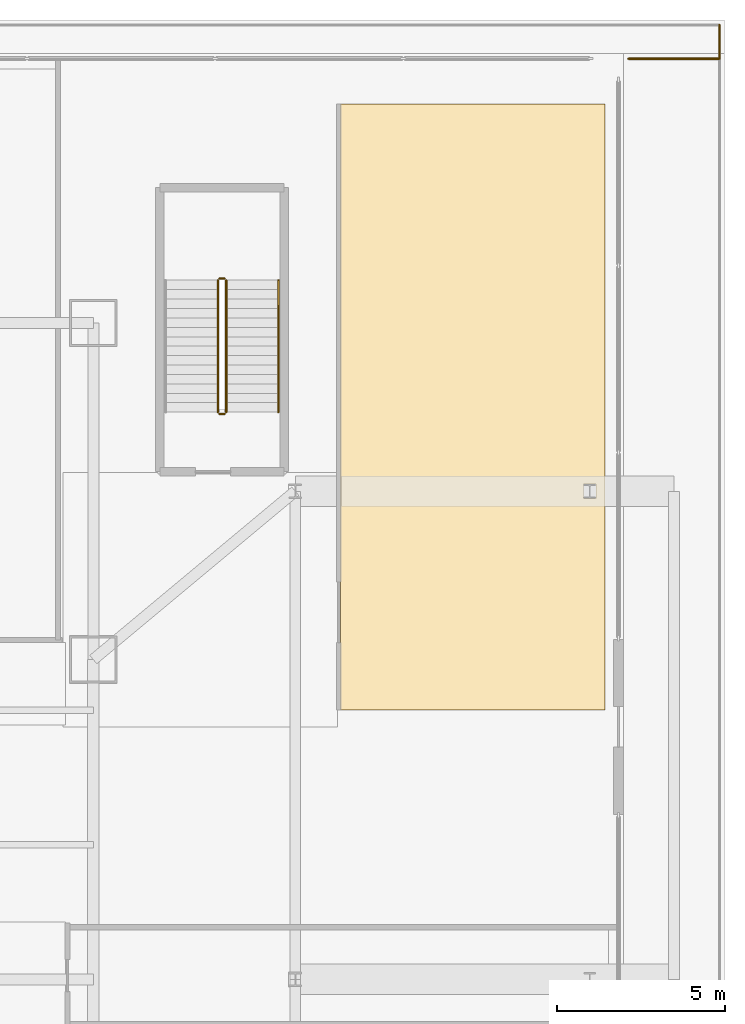
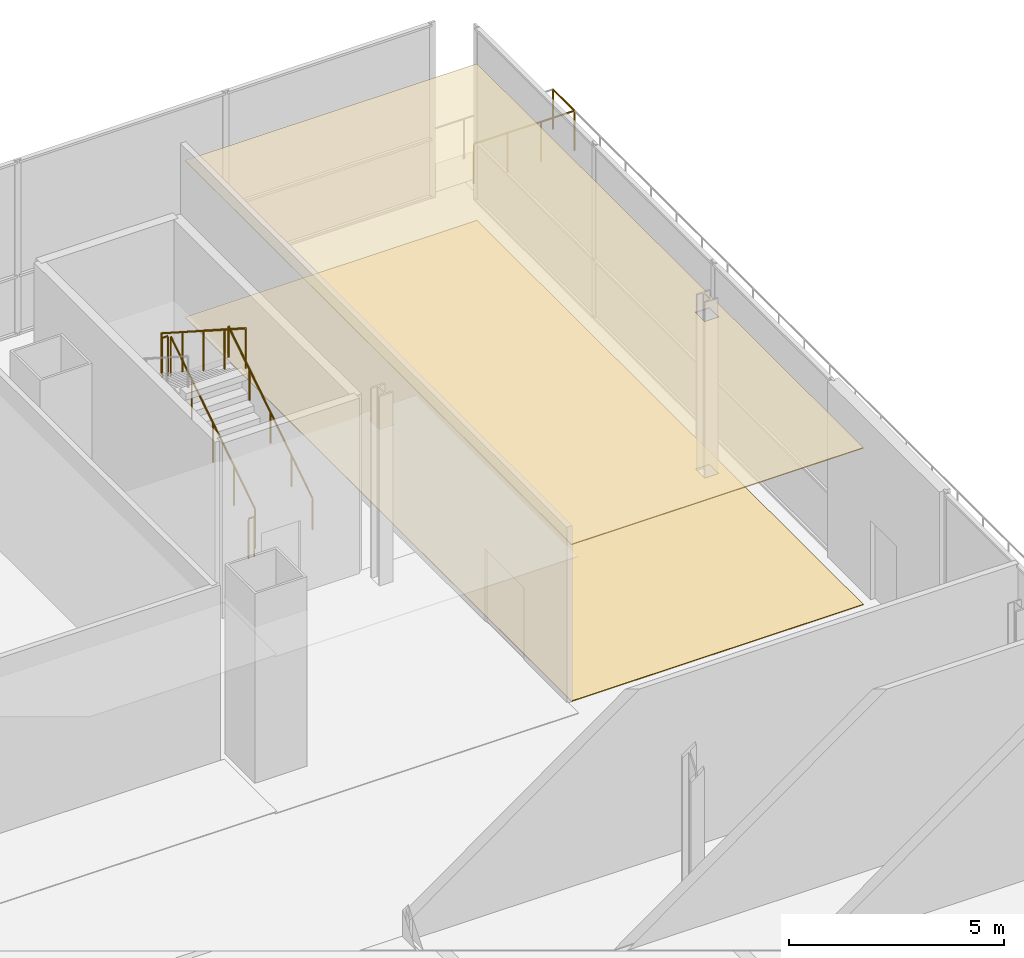
# One storey, part 36 of 36: 7 railings, 2 coverings.
"""IFC4 building model written with IfcOpenShell, lengths in metres."""

import ifcopenshell
import ifcopenshell.guid

model = None  # the IFC model being written
_history = None  # IfcOwnerHistory: only IFC2X3 demands one
_inside = {}  # id of a spatial element -> (the spatial element, [elements in it])
_under = {}  # id of a project, library or spatial element -> (it, [spatial elements below it])
_declared = {}  # id of a project -> (the project, [libraries it declares])
_typed = {}  # id of a type object -> (the type object, [elements of that type])
_made_of = {}  # id of a material, layer set ... -> (it, [elements and type objects made of it])


def new_model(schema):
    """Start an empty IFC model of exactly this schema.

    Asked for "IFC4X3", IfcOpenShell would pick the latest addendum, in which some entities
    have other attributes; the version numbers below select the first issue.
    IFC2X3 requires an IfcOwnerHistory on every rooted entity: one is made here for all.
    """
    global model, _history
    if schema == "IFC4X3":
        model = ifcopenshell.file(schema_version=(4, 3, 0, 0))
    else:
        model = ifcopenshell.file(schema=schema)
    _inside.clear()
    _under.clear()
    _declared.clear()
    _typed.clear()
    _made_of.clear()
    _history = None
    if model.schema == "IFC2X3":
        org = make("IfcOrganization", Name="unknown")
        user = make(
            "IfcPersonAndOrganization",
            ThePerson=make("IfcPerson", FamilyName="unknown"),
            TheOrganization=org,
        )
        app = make(
            "IfcApplication",
            ApplicationDeveloper=org,
            Version="unknown",
            ApplicationFullName="unknown",
            ApplicationIdentifier="unknown",
        )
        _history = make(
            "IfcOwnerHistory",
            OwningUser=user,
            OwningApplication=app,
            ChangeAction="ADDED",
            CreationDate=0,
        )
    return model


def make(cls, **values):
    """One entity of the class cls with the attributes given. An attribute that is None is left unset."""
    return model.create_entity(
        cls, **{name: value for name, value in values.items() if value is not None}
    )


def rooted(cls, **values):
    """An entity with a GlobalId (a new one), such as an element, a storey or a relation."""
    return make(cls, GlobalId=ifcopenshell.guid.new(), OwnerHistory=_history, **values)


def si_unit(unit_type, name, prefix=None):
    """IfcSIUnit, for example si_unit("LENGTHUNIT", "METRE", prefix="MILLI")."""
    return make("IfcSIUnit", UnitType=unit_type, Prefix=prefix, Name=name)


def assignment(units):
    """IfcUnitAssignment: the units of a project."""
    return None if units is None else make("IfcUnitAssignment", Units=units)


def point(xyz):
    """IfcCartesianPoint."""
    return None if xyz is None else make("IfcCartesianPoint", Coordinates=xyz)


def direction(xyz):
    """IfcDirection."""
    return None if xyz is None else make("IfcDirection", DirectionRatios=xyz)


def frame(location, z_axis=None, x_axis=None):
    """IfcAxis2Placement3D, a coordinate frame: its origin and axes. An axis left out is left unset."""
    return make(
        "IfcAxis2Placement3D",
        Location=point(location),
        Axis=direction(z_axis),
        RefDirection=direction(x_axis),
    )


def frame_2d(location, x_axis=None):
    """IfcAxis2Placement2D, a coordinate frame in the plane: its origin and x axis."""
    return make(
        "IfcAxis2Placement2D", Location=point(location), RefDirection=direction(x_axis)
    )


def origin():
    """The frame at (0, 0, 0) with its axes left unset."""
    return frame((0.0, 0.0, 0.0))


def origin_2d():
    """The frame at (0, 0) in the plane with its x axis left unset."""
    return frame_2d((0.0, 0.0))


def place(relative_to, where):
    """IfcLocalPlacement: puts the frame where relative to a parent placement (None: the world)."""
    return make(
        "IfcLocalPlacement", PlacementRelTo=relative_to, RelativePlacement=where
    )


def context(
    kind, dimensions, precision=None, world=None, true_north=None, identifier=None
):
    """IfcGeometricRepresentationContext, for example the 3D "Model" context."""
    return make(
        "IfcGeometricRepresentationContext",
        ContextIdentifier=identifier,
        ContextType=kind,
        CoordinateSpaceDimension=dimensions,
        Precision=precision,
        WorldCoordinateSystem=world,
        TrueNorth=true_north,
    )


def subcontext(parent, identifier, kind, view, scale=None):
    """IfcGeometricRepresentationSubContext, for example "Body" below "Model"."""
    return make(
        "IfcGeometricRepresentationSubContext",
        ContextIdentifier=identifier,
        ContextType=kind,
        ParentContext=parent,
        TargetScale=scale,
        TargetView=view,
    )


def project(units=None, contexts=None):
    """IfcProject with its units and contexts."""
    return rooted(
        "IfcProject",
        Name="project",
        RepresentationContexts=contexts,
        UnitsInContext=assignment(units),
    )


def spatial(cls, under=None, at=None, **own):
    """A site, building, storey or space (cls), placed at a placement, below another one or the project."""
    s = rooted(cls, ObjectPlacement=at, **own)
    if under is not None:
        _under.setdefault(under.id(), (under, []))[1].append(s)
    return s


def polyline(points):
    """IfcPolyline through the points."""
    return make("IfcPolyline", Points=[point(p) for p in points])


def profile(cls, at=None, kind="AREA", **sizes):
    """A parametric profile (cls). Its sizes go by their IFC names, for example OverallWidth=200.0."""
    return make(cls, ProfileType=kind, Position=at, **sizes)


def circle(**sizes):
    """IfcCircleProfileDef."""
    return profile("IfcCircleProfileDef", **sizes)


def outline(outer, holes=None, kind="AREA"):
    """IfcArbitraryClosedProfileDef: a profile drawn as a closed curve; with holes, ...WithVoids."""
    if holes is None:
        return make("IfcArbitraryClosedProfileDef", ProfileType=kind, OuterCurve=outer)
    return make(
        "IfcArbitraryProfileDefWithVoids",
        ProfileType=kind,
        OuterCurve=outer,
        InnerCurves=holes,
    )


def extrude(swept, where, along, depth):
    """IfcExtrudedAreaSolid: the profile swept, set in the frame where, extruded along a direction by depth."""
    return make(
        "IfcExtrudedAreaSolid",
        SweptArea=swept,
        Position=where,
        ExtrudedDirection=direction(along),
        Depth=depth,
    )


def shape(context_of_items, identifier, shape_type, items):
    """IfcShapeRepresentation: the items that make up one representation, for example the "Body"."""
    return make(
        "IfcShapeRepresentation",
        ContextOfItems=context_of_items,
        RepresentationIdentifier=identifier,
        RepresentationType=shape_type,
        Items=items,
    )


def material(Name=None, Category=None):
    """IfcMaterial."""
    return make("IfcMaterial", Name=Name, Category=Category)


def layer(
    of_material, thickness, ventilated=None, Name=None, Category=None, Priority=None
):
    """IfcMaterialLayer: one layer of a wall or slab, of a material (None: an air gap)."""
    return make(
        "IfcMaterialLayer",
        Material=of_material,
        LayerThickness=thickness,
        IsVentilated=ventilated,
        Name=Name,
        Category=Category,
        Priority=Priority,
    )


def layer_set(layers, Name=None):
    """IfcMaterialLayerSet."""
    return make("IfcMaterialLayerSet", MaterialLayers=layers, LayerSetName=Name)


def made_of(thing, what):
    """Note that an element or type object is made of a material, layer set ...; save() writes the relation."""
    if what is not None:
        _made_of.setdefault(what.id(), (what, []))[1].append(thing)
    return thing


def type_object(cls, material=None, **own):
    """A type object (cls), such as IfcWallType, which elements share."""
    return made_of(rooted(cls, **own), material)


def element(
    cls,
    number,
    at=None,
    inside=None,
    cuts=None,
    type_object=None,
    material=None,
    context=None,
    identifier="Body",
    shape_type=None,
    held_by="IfcProductDefinitionShape",
    body=None,
    shapes=None,
    **own,
):
    """One element of the class cls, such as IfcWall. Its Tag is "e" and its number.

    at: its placement. inside: the storey or other place that contains it. cuts: it is an
    opening in that element (IfcRelVoidsElement). A single representation is given by context,
    identifier, shape_type and body (its items); several are given by shapes. held_by: the class
    of the entity that holds the representations. save() writes the other relations.
    """
    e = rooted(cls, Tag="e%d" % number, ObjectPlacement=at, **own)
    if body is not None:
        shapes = [shape(context, identifier, shape_type, body)]
    if shapes is not None:
        e.Representation = make(held_by, Representations=shapes)
    if inside is not None:
        _inside.setdefault(inside.id(), (inside, []))[1].append(e)
    if cuts is not None:
        rooted(
            "IfcRelVoidsElement", RelatingBuildingElement=cuts, RelatedOpeningElement=e
        )
    if type_object is not None:
        _typed.setdefault(type_object.id(), (type_object, []))[1].append(e)
    return made_of(e, material)


def aggregate(whole, parts):
    """IfcRelAggregates: a whole, such as a stair, and the parts it consists of."""
    return rooted("IfcRelAggregates", RelatingObject=whole, RelatedObjects=parts)


def save(model, path):
    """Write the relations noted so far, then the file.

    IfcRelAggregates (storeys below a building ...), IfcRelContainedInSpatialStructure (elements
    in a storey), IfcRelDefinesByType, IfcRelAssociatesMaterial and IfcRelDeclares: one each for
    every whole, place, type object, material and project.
    """
    for whole, parts in _under.values():
        aggregate(whole, parts)
    for where, things in _inside.values():
        rooted(
            "IfcRelContainedInSpatialStructure",
            RelatedElements=things,
            RelatingStructure=where,
        )
    for kind, things in _typed.values():
        rooted("IfcRelDefinesByType", RelatedObjects=things, RelatingType=kind)
    for what, things in _made_of.values():
        rooted("IfcRelAssociatesMaterial", RelatedObjects=things, RelatingMaterial=what)
    for by, libraries in _declared.values():
        rooted("IfcRelDeclares", RelatingContext=by, RelatedDefinitions=libraries)
    model.write(path)


model = new_model("IFC4")

# Units and contexts
model_context = context("Model", 3, precision=1e-05, world=origin(), true_north=direction((0.0, 1.0)))
body_context = subcontext(model_context, "Body", "Model", "MODEL_VIEW")
ifc_project = project(units=[si_unit("LENGTHUNIT", "METRE"), si_unit("AREAUNIT", "SQUARE_METRE"), si_unit("VOLUMEUNIT", "CUBIC_METRE"), si_unit("PLANEANGLEUNIT", "RADIAN"), si_unit("MASSUNIT", "GRAM", prefix="KILO")], contexts=[model_context])

# Site, building, storey
site_placement = place(None, origin())
site = spatial("IfcSite", under=ifc_project, at=site_placement, CompositionType="ELEMENT")
building_placement = place(site_placement, origin())
building = spatial("IfcBuilding", under=site, at=building_placement, Name="Trevonay Congress Spire", CompositionType="ELEMENT")
storey_placement = place(building_placement, frame((0.0, 0.0, 5.39990234375)))
storey = spatial("IfcBuildingStorey", under=building, at=storey_placement, Name="L01", CompositionType="ELEMENT", Elevation=5.39990234375)

# Coverings
ifc_material_1 = material(Name="Acoustic Mineral Fibre Board", Category="gypsum")
ifc_layer_1 = layer(ifc_material_1, 0.02490234375, Name="Acoustic Mineral Fibre Board")
ifc_layer_set_1 = layer_set([ifc_layer_1], Name="Acoustic Mineral Fibre Board")
covering_type_1 = type_object("IfcCoveringType", Name="COV-CEIL-ACOUSTIC", PredefinedType="CEILING", material=ifc_layer_set_1)
covering_1_placement = place(storey_placement, frame((0.0, 0.0, 4.4501953125)))
element("IfcCovering", 1, at=covering_1_placement, inside=storey, type_object=covering_type_1, Name="L01 L01 North-East Hospitality Salon acoustic suspended ceiling", PredefinedType="CEILING", context=body_context, shape_type="SweptSolid", body=[
    extrude(outline(polyline([(30.60009765625, 26.0), (38.449951171875, 26.0), (38.449951171875, 8.0), (30.60009765625, 8.0), (30.60009765625, 26.0)]), holes=[polyline([(38.18603515625, 14.28662109375), (38.18603515625, 14.71337890625), (37.81396484375, 14.71337890625), (37.81396484375, 14.28662109375), (38.18603515625, 14.28662109375)])]), origin(), (0.0, 0.0, 1.0), 0.02490234375),
])
ifc_material_2 = material(Name="Polished Granite Floor Tile", Category="masonry")
ifc_layer_2 = layer(ifc_material_2, 0.02001953125, Name="Polished Granite Floor Tile")
ifc_layer_set_2 = layer_set([ifc_layer_2], Name="Polished Granite Floor Tile")
covering_type_2 = type_object("IfcCoveringType", Name="COV-FLOOR-STONE", PredefinedType="FLOORING", material=ifc_layer_set_2)
covering_2_placement = place(storey_placement, origin())
element("IfcCovering", 2, at=covering_2_placement, inside=storey, type_object=covering_type_2, Name="L01 L01 North-East Hospitality Salon floor finish", PredefinedType="FLOORING", context=body_context, shape_type="SweptSolid", body=[
    extrude(outline(polyline([(30.60009765625, 26.0), (38.449951171875, 26.0), (38.449951171875, 8.0), (30.60009765625, 8.0), (30.60009765625, 26.0)]), holes=[polyline([(38.18603515625, 14.28662109375), (38.18603515625, 14.71337890625), (37.81396484375, 14.71337890625), (37.81396484375, 14.28662109375), (38.18603515625, 14.28662109375)])]), origin(), (0.0, 0.0, 1.0), 0.02001953125),
])

# Railings
ifc_material_3 = material(Name="Pale Anodised Aluminium EN AW-6063-T6", Category="aluminium")
railing_type_1 = type_object("IfcRailingType", Name="RAL-EXT-GUARD-115", PredefinedType="GUARDRAIL", material=ifc_material_3)
railing_1_placement = place(storey_placement, frame((41.85009765625, 27.35009765625, 0.0)))
element("IfcRailing", 3, at=railing_1_placement, inside=storey, type_object=railing_type_1, Name="L01 perimeter safety guard GRD-L01-TER-E-3", PredefinedType="GUARDRAIL", context=body_context, shape_type="SweptSolid", body=[
    extrude(circle(Radius=0.02392578125, at=origin_2d()), frame((0.0, 0.0, 1.1259765625), z_axis=(-1.0, 0.0, 0.0), x_axis=(0.0, -1.0, 0.0)), (0.0, 0.0, 1.0), 2.7001953125),
    extrude(circle(Radius=0.02099609375, at=origin_2d()), origin(), (0.0, 0.0, 1.0), 1.101806640625),
    extrude(circle(Radius=0.02099609375, at=origin_2d()), frame((-0.900146484375, 0.0, 0.0)), (0.0, 0.0, 1.0), 1.101806640625),
    extrude(circle(Radius=0.02099609375, at=origin_2d()), frame((-1.800048828125, 0.0, 0.0)), (0.0, 0.0, 1.0), 1.101806640625),
    extrude(circle(Radius=0.02099609375, at=origin_2d()), frame((-2.7001953125, 0.0, 0.0)), (0.0, 0.0, 1.0), 1.101806640625),
])
railing_2_placement = place(storey_placement, frame((41.85009765625, 28.35009765625, 0.0)))
element("IfcRailing", 4, at=railing_2_placement, inside=storey, type_object=railing_type_1, Name="L01 perimeter safety guard GRD-L01-TER-N-3", PredefinedType="GUARDRAIL", context=body_context, shape_type="SweptSolid", body=[
    extrude(circle(Radius=0.02392578125, at=origin_2d()), frame((0.0, 0.0, 1.1259765625), z_axis=(0.0, -1.0, 0.0), x_axis=(1.0, 0.0, 0.0)), (0.0, 0.0, 1.0), 1.0),
    extrude(circle(Radius=0.02099609375, at=origin_2d()), origin(), (0.0, 0.0, 1.0), 1.101806640625),
    extrude(circle(Radius=0.02099609375, at=origin_2d()), frame((0.0, -1.0, 0.0)), (0.0, 0.0, 1.0), 1.101806640625),
])
railing_type_2 = type_object("IfcRailingType", Name="RAL-STAIR-GUARD-110", PredefinedType="GUARDRAIL", material=ifc_material_3)
railing_3_placement = place(storey_placement, frame((27.199951171875, 16.85009765625, 0.18017578125)))
element("IfcRailing", 5, at=railing_3_placement, inside=storey, type_object=railing_type_2, Name="L01 ST-6 stair guard 1", PredefinedType="GUARDRAIL", context=body_context, shape_type="SweptSolid", body=[
    extrude(circle(Radius=0.02392578125, at=origin_2d()), frame((0.0, 0.0, 1.1259765625), z_axis=(0.0, 0.841171666519, 0.540768182723), x_axis=(-1.0, 0.0, 0.0)), (0.0, 0.0, 1.0), 4.66015625),
    extrude(circle(Radius=0.02099609375, at=origin_2d()), origin(), (0.0, 0.0, 1.0), 1.101806640625),
    extrude(circle(Radius=0.02099609375, at=origin_2d()), frame((0.0, 0.97998046875, 0.6298828125)), (0.0, 0.0, 1.0), 1.101806640625),
    extrude(circle(Radius=0.02099609375, at=origin_2d()), frame((0.0, 1.9599609375, 1.260009765625)), (0.0, 0.0, 1.0), 1.101806640625),
    extrude(circle(Radius=0.02099609375, at=origin_2d()), frame((0.0, 2.93994140625, 1.89013671875)), (0.0, 0.0, 1.0), 1.101806640625),
    extrude(circle(Radius=0.02099609375, at=origin_2d()), frame((0.0, 3.919921875, 2.52001953125)), (0.0, 0.0, 1.0), 1.101806640625),
])
railing_4_placement = place(storey_placement, frame((27.14990234375, 20.820068359375, 2.7001953125)))
element("IfcRailing", 6, at=railing_4_placement, inside=storey, type_object=railing_type_2, Name="L01 ST-6 stair guard 2", PredefinedType="GUARDRAIL", context=body_context, shape_type="SweptSolid", body=[
    extrude(circle(Radius=0.02392578125, at=origin_2d()), frame((0.0, 0.0, 1.1259765625), z_axis=(-1.0, 0.0, 0.0), x_axis=(0.0, -1.0, 0.0)), (0.0, 0.0, 1.0), 0.14990234375),
    extrude(circle(Radius=0.02099609375, at=origin_2d()), origin(), (0.0, 0.0, 1.0), 1.101806640625),
    extrude(circle(Radius=0.02099609375, at=origin_2d()), frame((-0.14990234375, 0.0, 0.0)), (0.0, 0.0, 1.0), 1.101806640625),
])
railing_5_placement = place(storey_placement, frame((26.949951171875, 20.77001953125, 2.880126953125)))
element("IfcRailing", 7, at=railing_5_placement, inside=storey, type_object=railing_type_2, Name="L01 ST-6 stair guard 3", PredefinedType="GUARDRAIL", context=body_context, shape_type="SweptSolid", body=[
    extrude(circle(Radius=0.02392578125, at=origin_2d()), frame((0.0, 0.0, 1.1259765625), z_axis=(0.0, -0.841171666519, 0.540768182723), x_axis=(1.0, 0.0, 0.0)), (0.0, 0.0, 1.0), 4.66015625),
    extrude(circle(Radius=0.02099609375, at=origin_2d()), origin(), (0.0, 0.0, 1.0), 1.101806640625),
    extrude(circle(Radius=0.02099609375, at=origin_2d()), frame((0.0, -0.97998046875, 0.6298828125)), (0.0, 0.0, 1.0), 1.101806640625),
    extrude(circle(Radius=0.02099609375, at=origin_2d()), frame((0.0, -1.9599609375, 1.260009765625)), (0.0, 0.0, 1.0), 1.101806640625),
    extrude(circle(Radius=0.02099609375, at=origin_2d()), frame((0.0, -2.93994140625, 1.89013671875)), (0.0, 0.0, 1.0), 1.101806640625),
    extrude(circle(Radius=0.02099609375, at=origin_2d()), frame((0.0, -3.919921875, 2.52001953125)), (0.0, 0.0, 1.0), 1.101806640625),
])
railing_6_placement = place(storey_placement, frame((27.14990234375, 16.800048828125, 0.0)))
element("IfcRailing", 8, at=railing_6_placement, inside=storey, type_object=railing_type_2, Name="L01 ST-6 stair guard 4", PredefinedType="GUARDRAIL", context=body_context, shape_type="SweptSolid", body=[
    extrude(circle(Radius=0.02392578125, at=origin_2d()), frame((0.0, 0.0, 1.1259765625), z_axis=(-1.0, 0.0, 0.0), x_axis=(0.0, -1.0, 0.0)), (0.0, 0.0, 1.0), 0.14990234375),
    extrude(circle(Radius=0.02099609375, at=origin_2d()), origin(), (0.0, 0.0, 1.0), 1.101806640625),
    extrude(circle(Radius=0.02099609375, at=origin_2d()), frame((-0.14990234375, 0.0, 0.0)), (0.0, 0.0, 1.0), 1.101806640625),
])
railing_type_3 = type_object("IfcRailingType", Name="RAL-STAIR-HANDRAIL", PredefinedType="HANDRAIL", material=ifc_material_3)
railing_7_placement = place(storey_placement, frame((28.75, 16.85009765625, 0.18017578125)))
element("IfcRailing", 9, at=railing_7_placement, inside=storey, type_object=railing_type_3, Name="L01 ST-6 stair handrail 1", PredefinedType="HANDRAIL", context=body_context, shape_type="SweptSolid", body=[
    extrude(circle(Radius=0.02392578125, at=origin_2d()), frame((0.0, 0.0, 0.8759765625), z_axis=(0.0, 0.841171666519, 0.540768182723), x_axis=(-1.0, 0.0, 0.0)), (0.0, 0.0, 1.0), 4.66015625),
    extrude(circle(Radius=0.02099609375, at=origin_2d()), origin(), (0.0, 0.0, 1.0), 0.851806640625),
    extrude(circle(Radius=0.02099609375, at=origin_2d()), frame((0.0, 0.97998046875, 0.6298828125)), (0.0, 0.0, 1.0), 0.851806640625),
    extrude(circle(Radius=0.02099609375, at=origin_2d()), frame((0.0, 1.9599609375, 1.260009765625)), (0.0, 0.0, 1.0), 0.851806640625),
    extrude(circle(Radius=0.02099609375, at=origin_2d()), frame((0.0, 2.93994140625, 1.89013671875)), (0.0, 0.0, 1.0), 0.851806640625),
    extrude(circle(Radius=0.02099609375, at=origin_2d()), frame((0.0, 3.919921875, 2.52001953125)), (0.0, 0.0, 1.0), 0.851806640625),
])

save(model, "model.ifc")
